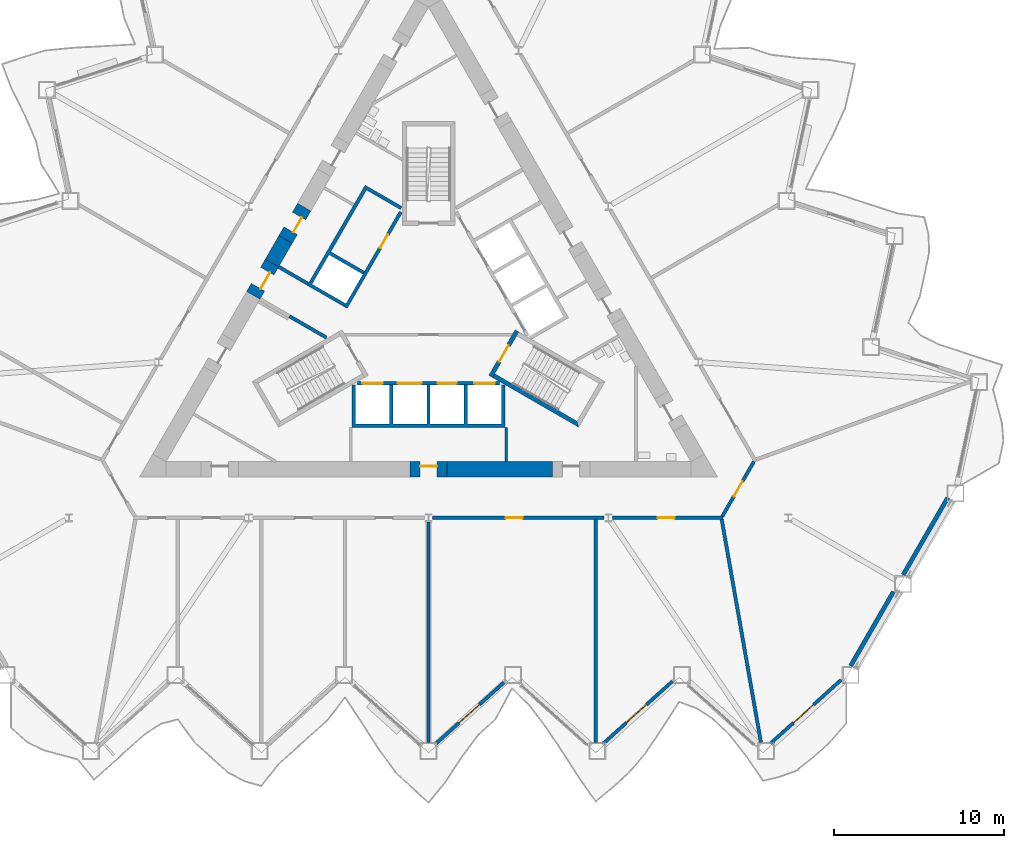
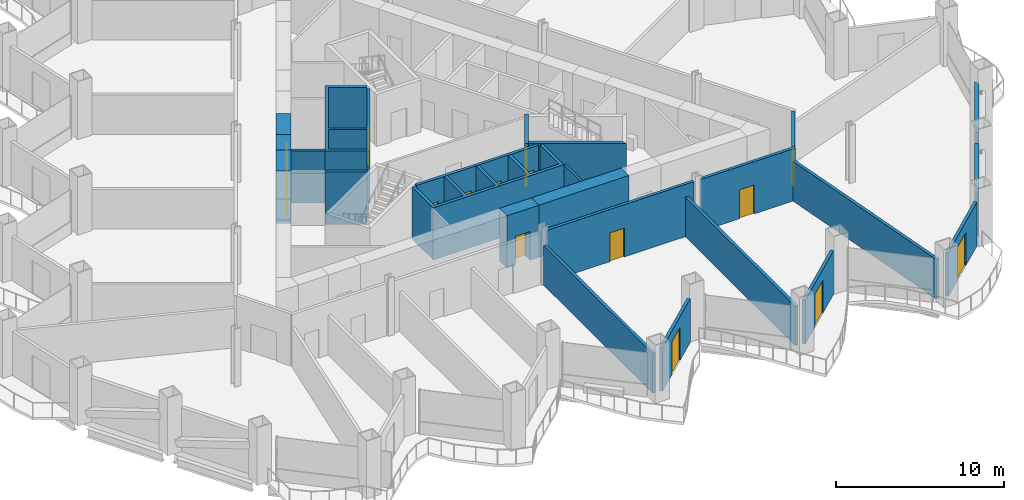
# One storey, part 10 of 21: 25 walls, 15 doors, 15 openings.
"""IFC4 building model written with IfcOpenShell, lengths in metres."""

import ifcopenshell
import ifcopenshell.guid

model = None  # the IFC model being written
_history = None  # IfcOwnerHistory: only IFC2X3 demands one
_inside = {}  # id of a spatial element -> (the spatial element, [elements in it])
_under = {}  # id of a project, library or spatial element -> (it, [spatial elements below it])
_declared = {}  # id of a project -> (the project, [libraries it declares])
_typed = {}  # id of a type object -> (the type object, [elements of that type])
_made_of = {}  # id of a material, layer set ... -> (it, [elements and type objects made of it])


def new_model(schema):
    """Start an empty IFC model of exactly this schema.

    Asked for "IFC4X3", IfcOpenShell would pick the latest addendum, in which some entities
    have other attributes; the version numbers below select the first issue.
    IFC2X3 requires an IfcOwnerHistory on every rooted entity: one is made here for all.
    """
    global model, _history
    if schema == "IFC4X3":
        model = ifcopenshell.file(schema_version=(4, 3, 0, 0))
    else:
        model = ifcopenshell.file(schema=schema)
    _inside.clear()
    _under.clear()
    _declared.clear()
    _typed.clear()
    _made_of.clear()
    _history = None
    if model.schema == "IFC2X3":
        org = make("IfcOrganization", Name="unknown")
        user = make(
            "IfcPersonAndOrganization",
            ThePerson=make("IfcPerson", FamilyName="unknown"),
            TheOrganization=org,
        )
        app = make(
            "IfcApplication",
            ApplicationDeveloper=org,
            Version="unknown",
            ApplicationFullName="unknown",
            ApplicationIdentifier="unknown",
        )
        _history = make(
            "IfcOwnerHistory",
            OwningUser=user,
            OwningApplication=app,
            ChangeAction="ADDED",
            CreationDate=0,
        )
    return model


def make(cls, **values):
    """One entity of the class cls with the attributes given. An attribute that is None is left unset."""
    return model.create_entity(
        cls, **{name: value for name, value in values.items() if value is not None}
    )


def rooted(cls, **values):
    """An entity with a GlobalId (a new one), such as an element, a storey or a relation."""
    return make(cls, GlobalId=ifcopenshell.guid.new(), OwnerHistory=_history, **values)


def si_unit(unit_type, name, prefix=None):
    """IfcSIUnit, for example si_unit("LENGTHUNIT", "METRE", prefix="MILLI")."""
    return make("IfcSIUnit", UnitType=unit_type, Prefix=prefix, Name=name)


def assignment(units):
    """IfcUnitAssignment: the units of a project."""
    return None if units is None else make("IfcUnitAssignment", Units=units)


def point(xyz):
    """IfcCartesianPoint."""
    return None if xyz is None else make("IfcCartesianPoint", Coordinates=xyz)


def direction(xyz):
    """IfcDirection."""
    return None if xyz is None else make("IfcDirection", DirectionRatios=xyz)


def frame(location, z_axis=None, x_axis=None):
    """IfcAxis2Placement3D, a coordinate frame: its origin and axes. An axis left out is left unset."""
    return make(
        "IfcAxis2Placement3D",
        Location=point(location),
        Axis=direction(z_axis),
        RefDirection=direction(x_axis),
    )


def frame_2d(location, x_axis=None):
    """IfcAxis2Placement2D, a coordinate frame in the plane: its origin and x axis."""
    return make(
        "IfcAxis2Placement2D", Location=point(location), RefDirection=direction(x_axis)
    )


def origin():
    """The frame at (0, 0, 0) with its axes left unset."""
    return frame((0.0, 0.0, 0.0))


def place(relative_to, where):
    """IfcLocalPlacement: puts the frame where relative to a parent placement (None: the world)."""
    return make(
        "IfcLocalPlacement", PlacementRelTo=relative_to, RelativePlacement=where
    )


def context(
    kind, dimensions, precision=None, world=None, true_north=None, identifier=None
):
    """IfcGeometricRepresentationContext, for example the 3D "Model" context."""
    return make(
        "IfcGeometricRepresentationContext",
        ContextIdentifier=identifier,
        ContextType=kind,
        CoordinateSpaceDimension=dimensions,
        Precision=precision,
        WorldCoordinateSystem=world,
        TrueNorth=true_north,
    )


def subcontext(parent, identifier, kind, view, scale=None):
    """IfcGeometricRepresentationSubContext, for example "Body" below "Model"."""
    return make(
        "IfcGeometricRepresentationSubContext",
        ContextIdentifier=identifier,
        ContextType=kind,
        ParentContext=parent,
        TargetScale=scale,
        TargetView=view,
    )


def project(units=None, contexts=None):
    """IfcProject with its units and contexts."""
    return rooted(
        "IfcProject",
        Name="project",
        RepresentationContexts=contexts,
        UnitsInContext=assignment(units),
    )


def spatial(cls, under=None, at=None, **own):
    """A site, building, storey or space (cls), placed at a placement, below another one or the project."""
    s = rooted(cls, ObjectPlacement=at, **own)
    if under is not None:
        _under.setdefault(under.id(), (under, []))[1].append(s)
    return s


def polyline(points):
    """IfcPolyline through the points."""
    return make("IfcPolyline", Points=[point(p) for p in points])


def profile(cls, at=None, kind="AREA", **sizes):
    """A parametric profile (cls). Its sizes go by their IFC names, for example OverallWidth=200.0."""
    return make(cls, ProfileType=kind, Position=at, **sizes)


def rectangle(**sizes):
    """IfcRectangleProfileDef."""
    return profile("IfcRectangleProfileDef", **sizes)


def outline(outer, holes=None, kind="AREA"):
    """IfcArbitraryClosedProfileDef: a profile drawn as a closed curve; with holes, ...WithVoids."""
    if holes is None:
        return make("IfcArbitraryClosedProfileDef", ProfileType=kind, OuterCurve=outer)
    return make(
        "IfcArbitraryProfileDefWithVoids",
        ProfileType=kind,
        OuterCurve=outer,
        InnerCurves=holes,
    )


def extrude(swept, where, along, depth):
    """IfcExtrudedAreaSolid: the profile swept, set in the frame where, extruded along a direction by depth."""
    return make(
        "IfcExtrudedAreaSolid",
        SweptArea=swept,
        Position=where,
        ExtrudedDirection=direction(along),
        Depth=depth,
    )


def shape(context_of_items, identifier, shape_type, items):
    """IfcShapeRepresentation: the items that make up one representation, for example the "Body"."""
    return make(
        "IfcShapeRepresentation",
        ContextOfItems=context_of_items,
        RepresentationIdentifier=identifier,
        RepresentationType=shape_type,
        Items=items,
    )


def material(Name=None, Category=None):
    """IfcMaterial."""
    return make("IfcMaterial", Name=Name, Category=Category)


def layer(
    of_material, thickness, ventilated=None, Name=None, Category=None, Priority=None
):
    """IfcMaterialLayer: one layer of a wall or slab, of a material (None: an air gap)."""
    return make(
        "IfcMaterialLayer",
        Material=of_material,
        LayerThickness=thickness,
        IsVentilated=ventilated,
        Name=Name,
        Category=Category,
        Priority=Priority,
    )


def layer_set(layers, Name=None):
    """IfcMaterialLayerSet."""
    return make("IfcMaterialLayerSet", MaterialLayers=layers, LayerSetName=Name)


def made_of(thing, what):
    """Note that an element or type object is made of a material, layer set ...; save() writes the relation."""
    if what is not None:
        _made_of.setdefault(what.id(), (what, []))[1].append(thing)
    return thing


def type_object(cls, material=None, **own):
    """A type object (cls), such as IfcWallType, which elements share."""
    return made_of(rooted(cls, **own), material)


def element(
    cls,
    number,
    at=None,
    inside=None,
    cuts=None,
    type_object=None,
    material=None,
    context=None,
    identifier="Body",
    shape_type=None,
    held_by="IfcProductDefinitionShape",
    body=None,
    shapes=None,
    **own,
):
    """One element of the class cls, such as IfcWall. Its Tag is "e" and its number.

    at: its placement. inside: the storey or other place that contains it. cuts: it is an
    opening in that element (IfcRelVoidsElement). A single representation is given by context,
    identifier, shape_type and body (its items); several are given by shapes. held_by: the class
    of the entity that holds the representations. save() writes the other relations.
    """
    e = rooted(cls, Tag="e%d" % number, ObjectPlacement=at, **own)
    if body is not None:
        shapes = [shape(context, identifier, shape_type, body)]
    if shapes is not None:
        e.Representation = make(held_by, Representations=shapes)
    if inside is not None:
        _inside.setdefault(inside.id(), (inside, []))[1].append(e)
    if cuts is not None:
        rooted(
            "IfcRelVoidsElement", RelatingBuildingElement=cuts, RelatedOpeningElement=e
        )
    if type_object is not None:
        _typed.setdefault(type_object.id(), (type_object, []))[1].append(e)
    return made_of(e, material)


def fill(opening, filler):
    """IfcRelFillsElement: the door or window that sits in an opening."""
    return rooted(
        "IfcRelFillsElement",
        RelatingOpeningElement=opening,
        RelatedBuildingElement=filler,
    )


def aggregate(whole, parts):
    """IfcRelAggregates: a whole, such as a stair, and the parts it consists of."""
    return rooted("IfcRelAggregates", RelatingObject=whole, RelatedObjects=parts)


def save(model, path):
    """Write the relations noted so far, then the file.

    IfcRelAggregates (storeys below a building ...), IfcRelContainedInSpatialStructure (elements
    in a storey), IfcRelDefinesByType, IfcRelAssociatesMaterial and IfcRelDeclares: one each for
    every whole, place, type object, material and project.
    """
    for whole, parts in _under.values():
        aggregate(whole, parts)
    for where, things in _inside.values():
        rooted(
            "IfcRelContainedInSpatialStructure",
            RelatedElements=things,
            RelatingStructure=where,
        )
    for kind, things in _typed.values():
        rooted("IfcRelDefinesByType", RelatedObjects=things, RelatingType=kind)
    for what, things in _made_of.values():
        rooted("IfcRelAssociatesMaterial", RelatedObjects=things, RelatingMaterial=what)
    for by, libraries in _declared.values():
        rooted("IfcRelDeclares", RelatingContext=by, RelatedDefinitions=libraries)
    model.write(path)


model = new_model("IFC4")

# Units and contexts
model_context = context("Model", 3, precision=1e-05, world=origin(), true_north=direction((0.0, 1.0)))
body_context = subcontext(model_context, "Body", "Model", "MODEL_VIEW")
ifc_project = project(units=[si_unit("LENGTHUNIT", "METRE"), si_unit("AREAUNIT", "SQUARE_METRE"), si_unit("VOLUMEUNIT", "CUBIC_METRE"), si_unit("PLANEANGLEUNIT", "RADIAN"), si_unit("MASSUNIT", "GRAM", prefix="KILO")], contexts=[model_context])

# Site, building, storey
site_placement = place(None, origin())
site = spatial("IfcSite", under=ifc_project, at=site_placement, CompositionType="ELEMENT")
building_placement = place(site_placement, origin())
building = spatial("IfcBuilding", under=site, at=building_placement, Name="Cormorant Prow Tower", CompositionType="ELEMENT")
storey_placement = place(building_placement, frame((0.0, 0.0, 67.800048828125)))
storey = spatial("IfcBuildingStorey", under=building, at=storey_placement, Name="L14", CompositionType="ELEMENT", Elevation=67.800048828125)

# Walls
ifc_material_1 = material(Name="Gypsum board partition")
ifc_layer_1 = layer(ifc_material_1, 0.14990234375)
ifc_layer_set_1 = layer_set([ifc_layer_1], Name="Gypsum board partition")
wall_type_1 = type_object("IfcWallType", Name="Core partition 150", PredefinedType="PARTITIONING", material=ifc_layer_set_1)
wall_1_placement = place(storey_placement, frame((4.574951171875, -6.906005859375, 0.0), z_axis=(0.0, 0.0, 1.0), x_axis=(0.0, -1.0, 0.0)))
element("IfcWall", 1, at=wall_1_placement, inside=storey, type_object=wall_type_1, Name="Service room partition", PredefinedType="PARTITIONING", context=body_context, shape_type="SweptSolid", body=[
    extrude(rectangle(XDim=2.009033203125, YDim=0.14990234375, at=frame_2d((1.00439453125, 0.0))), origin(), (0.0, 0.0, 1.0), 3.800048828125),
])
ifc_material_2 = material(Name="Concrete 8000 psi", Category="concrete")
ifc_layer_2 = layer(ifc_material_2, 0.89990234375)
ifc_layer_set_2 = layer_set([ifc_layer_2], Name="Concrete 8000 psi")
wall_type_2 = type_object("IfcWallType", Name="Core shear wall 900", PredefinedType="SHEAR", material=ifc_layer_set_2)
wall_2_placement = place(storey_placement, frame((1.10009765625, -9.364990234375, 0.0), z_axis=(0.0, 0.0, 1.0), x_axis=(1.0, 0.0, 0.0)))
element("IfcWall", 2, at=wall_2_placement, inside=storey, type_object=wall_type_2, Name="Core wall", PredefinedType="SHEAR", context=body_context, shape_type="SweptSolid", body=[
    extrude(rectangle(XDim=6.189208984375, YDim=0.89990234375, at=frame_2d((3.0947265625, 0.0))), origin(), (0.0, 0.0, 1.0), 3.800048828125),
])
wall_3_placement = place(storey_placement, frame((-8.413330078125, 4.157470703125, 0.0), z_axis=(0.0, 0.0, 1.0), x_axis=(-0.499961121316, -0.86604784924, 0.0)))
element("IfcWall", 3, at=wall_3_placement, inside=storey, type_object=wall_type_2, Name="Core wall", PredefinedType="SHEAR", context=body_context, shape_type="SweptSolid", body=[
    extrude(rectangle(XDim=1.593994140625, YDim=0.89990234375, at=frame_2d((0.796875, 0.0))), origin(), (0.0, 0.0, 1.0), 3.800048828125),
])

# Wall, opening, door
wall_4_placement = place(storey_placement, frame((-1.10009765625, -9.364990234375, 0.0), z_axis=(0.0, 0.0, 1.0), x_axis=(1.0, 0.0, 0.0)))
wall_4 = element("IfcWall", 4, at=wall_4_placement, inside=storey, type_object=wall_type_2, Name="Core wall door panel", PredefinedType="SHEAR", context=body_context, shape_type="SweptSolid", body=[
    extrude(rectangle(XDim=2.2001953125, YDim=0.89990234375, at=frame_2d((1.10009765625, 0.0))), origin(), (0.0, 0.0, 1.0), 3.800048828125),
])
opening_1_placement = place(wall_4_placement, frame((0.60009765625, 0.0, 0.0)))
opening_1 = element("IfcOpeningElement", 5, at=opening_1_placement, cuts=wall_4, Name="Opening L14-C15", PredefinedType="OPENING", context=body_context, shape_type="SweptSolid", body=[
    extrude(rectangle(XDim=1.0, YDim=2.10009765625, at=frame_2d((0.5, 1.050048828125))), frame((0.0, 0.4599609375, 0.0), z_axis=(0.0, -1.0, 0.0), x_axis=(1.0, 0.0, 0.0)), (0.0, 0.0, 1.0), 0.919921875),
])
ifc_material_3 = material(Name="Painted steel", Category="steel")
door_type_1 = type_object("IfcDoorType", Name="Service door 1000x2100", OperationType="NOTDEFINED", PredefinedType="DOOR", material=ifc_material_3)
door_1_placement = place(opening_1_placement, origin())
door_1 = element("IfcDoor", 6, at=door_1_placement, inside=storey, type_object=door_type_1, Name="Core door, Electrical room", OperationType="SINGLE_SWING_LEFT", OverallHeight=2.10009765625, OverallWidth=1.0, PredefinedType="DOOR", context=body_context, shape_type="SweptSolid", body=[
    extrude(rectangle(XDim=1.0, YDim=2.10009765625, at=frame_2d((0.5, 1.050048828125))), frame((0.0, 0.205078125, 0.0), z_axis=(0.0, -1.0, 0.0), x_axis=(1.0, 0.0, 0.0)), (0.0, 0.0, 1.0), 0.050048828125),
])
fill(opening_1, door_1)

wall_5_placement = place(storey_placement, frame((-7.3134765625, 6.0625, 0.0), z_axis=(0.0, 0.0, 1.0), x_axis=(-0.500077893725, -0.86598042715, 0.0)))
wall_5 = element("IfcWall", 7, at=wall_5_placement, inside=storey, type_object=wall_type_2, Name="Core wall door panel", PredefinedType="SHEAR", context=body_context, shape_type="SweptSolid", body=[
    extrude(rectangle(XDim=2.199951171875, YDim=0.89990234375, at=frame_2d((1.10009765625, 0.0))), origin(), (0.0, 0.0, 1.0), 3.800048828125),
])
opening_2_placement = place(wall_5_placement, frame((0.60009765625, 0.0, 0.0)))
opening_2 = element("IfcOpeningElement", 8, at=opening_2_placement, cuts=wall_5, Name="Opening L14-C21", PredefinedType="OPENING", context=body_context, shape_type="SweptSolid", body=[
    extrude(rectangle(XDim=1.0, YDim=2.10009765625, at=frame_2d((0.5, 1.050048828125))), frame((0.0, 0.4599609375, 0.0), z_axis=(0.0, -1.0, 0.0), x_axis=(1.0, 0.0, 0.0)), (0.0, 0.0, 1.0), 0.919921875),
])
door_2_placement = place(opening_2_placement, origin())
door_2 = element("IfcDoor", 9, at=door_2_placement, inside=storey, type_object=door_type_1, Name="Core door, Refuse store", OperationType="SINGLE_SWING_LEFT", OverallHeight=2.10009765625, OverallWidth=1.0, PredefinedType="DOOR", context=body_context, shape_type="SweptSolid", body=[
    extrude(rectangle(XDim=1.0, YDim=2.10009765625, at=frame_2d((0.5, 1.050048828125))), frame((0.0, 0.205078125, 0.0), z_axis=(0.0, -1.0, 0.0), x_axis=(1.0, 0.0, 0.0)), (0.0, 0.0, 1.0), 0.050048828125),
])
fill(opening_2, door_2)

wall_6_placement = place(storey_placement, frame((-9.210205078125, 2.777099609375, 0.0), z_axis=(0.0, 0.0, 1.0), x_axis=(-0.500077893725, -0.86598042715, 0.0)))
wall_6 = element("IfcWall", 10, at=wall_6_placement, inside=storey, type_object=wall_type_2, Name="Core wall door panel", PredefinedType="SHEAR", context=body_context, shape_type="SweptSolid", body=[
    extrude(rectangle(XDim=2.199951171875, YDim=0.89990234375, at=frame_2d((1.10009765625, 0.0))), origin(), (0.0, 0.0, 1.0), 3.800048828125),
])
opening_3_placement = place(wall_6_placement, frame((0.550048828125, 0.0, 0.0)))
opening_3 = element("IfcOpeningElement", 11, at=opening_3_placement, cuts=wall_6, Name="Opening L14-C25", PredefinedType="OPENING", context=body_context, shape_type="SweptSolid", body=[
    extrude(rectangle(XDim=1.10009765625, YDim=2.10009765625, at=frame_2d((0.550048828125, 1.050048828125))), frame((0.0, 0.4599609375, 0.0), z_axis=(0.0, -1.0, 0.0), x_axis=(1.0, 0.0, 0.0)), (0.0, 0.0, 1.0), 0.919921875),
])
ifc_material_4 = material(Name="Painted steel", Category="steel")
door_type_2 = type_object("IfcDoorType", Name="Core door 1100x2100", OperationType="NOTDEFINED", PredefinedType="DOOR", material=ifc_material_4)
door_3_placement = place(opening_3_placement, origin())
door_3 = element("IfcDoor", 12, at=door_3_placement, inside=storey, type_object=door_type_2, Name="Core door, lift lobby", OperationType="SINGLE_SWING_RIGHT", OverallHeight=2.10009765625, OverallWidth=1.10009765625, PredefinedType="DOOR", context=body_context, shape_type="SweptSolid", body=[
    extrude(rectangle(XDim=1.10009765625, YDim=2.10009765625, at=frame_2d((0.550048828125, 1.050048828125))), frame((0.0, 0.205078125, 0.0), z_axis=(0.0, -1.0, 0.0), x_axis=(1.0, 0.0, 0.0)), (0.0, 0.0, 1.0), 0.050048828125),
])
fill(opening_3, door_3)

ifc_material_5 = material(Name="Gypsum board corridor wall")
ifc_layer_3 = layer(ifc_material_5, 0.199951171875)
ifc_layer_set_3 = layer_set([ifc_layer_3], Name="Gypsum board corridor wall")
wall_type_3 = type_object("IfcWallType", Name="Corridor wall 200", PredefinedType="PARTITIONING", material=ifc_layer_set_3)
wall_7_placement = place(storey_placement, frame((0.2421875, -12.215087890625, 0.0), z_axis=(0.0, 0.0, 1.0), x_axis=(1.0, 0.0, 0.0)))
wall_7 = element("IfcWall", 13, at=wall_7_placement, inside=storey, type_object=wall_type_3, Name="Corridor wall", PredefinedType="PARTITIONING", context=body_context, shape_type="SweptSolid", body=[
    extrude(rectangle(XDim=10.093994140625, YDim=0.199951171875, at=frame_2d((5.046875, 0.0))), origin(), (0.0, 0.0, 1.0), 3.800048828125),
])
opening_4_placement = place(wall_7_placement, frame((4.294189453125, 0.0, 0.0)))
opening_4 = element("IfcOpeningElement", 14, at=opening_4_placement, cuts=wall_7, Name="Opening L14-F05", PredefinedType="OPENING", context=body_context, shape_type="SweptSolid", body=[
    extrude(rectangle(XDim=1.0, YDim=2.10009765625, at=frame_2d((0.5, 1.050048828125))), frame((0.0, 0.10986328125, 0.0), z_axis=(0.0, -1.0, 0.0), x_axis=(1.0, 0.0, 0.0)), (0.0, 0.0, 1.0), 0.219970703125),
])
ifc_material_6 = material(Name="Timber door leaf", Category="wood")
door_type_3 = type_object("IfcDoorType", Name="Office door 1000x2100", OperationType="NOTDEFINED", PredefinedType="DOOR", material=ifc_material_6)
door_4_placement = place(opening_4_placement, origin())
door_4 = element("IfcDoor", 15, at=door_4_placement, inside=storey, type_object=door_type_3, Name="Open-plan office door", OperationType="SINGLE_SWING_RIGHT", OverallHeight=2.10009765625, OverallWidth=1.0, PredefinedType="DOOR", context=body_context, shape_type="SweptSolid", body=[
    extrude(rectangle(XDim=1.0, YDim=2.10009765625, at=frame_2d((0.5, 1.050048828125))), frame((0.0, 0.02490234375, 0.0), z_axis=(0.0, -1.0, 0.0), x_axis=(1.0, 0.0, 0.0)), (0.0, 0.0, 1.0), 0.050048828125),
])
fill(opening_4, door_4)

wall_8_placement = place(storey_placement, frame((10.82080078125, -12.215087890625, 0.0), z_axis=(0.0, 0.0, 1.0), x_axis=(1.0, 0.0, 0.0)))
wall_8 = element("IfcWall", 16, at=wall_8_placement, inside=storey, type_object=wall_type_3, Name="Corridor wall", PredefinedType="PARTITIONING", context=body_context, shape_type="SweptSolid", body=[
    extrude(rectangle(XDim=6.510009765625, YDim=0.199951171875, at=frame_2d((3.2548828125, 0.0))), origin(), (0.0, 0.0, 1.0), 3.800048828125),
])
opening_5_placement = place(wall_8_placement, frame((2.65478515625, 0.0, 0.0)))
opening_5 = element("IfcOpeningElement", 17, at=opening_5_placement, cuts=wall_8, Name="Opening L14-F06", PredefinedType="OPENING", context=body_context, shape_type="SweptSolid", body=[
    extrude(rectangle(XDim=1.0, YDim=2.10009765625, at=frame_2d((0.5, 1.050048828125))), frame((0.0, 0.10986328125, 0.0), z_axis=(0.0, -1.0, 0.0), x_axis=(1.0, 0.0, 0.0)), (0.0, 0.0, 1.0), 0.219970703125),
])
door_5_placement = place(opening_5_placement, origin())
door_5 = element("IfcDoor", 18, at=door_5_placement, inside=storey, type_object=door_type_3, Name="Tenant suite door", OperationType="SINGLE_SWING_RIGHT", OverallHeight=2.10009765625, OverallWidth=1.0, PredefinedType="DOOR", context=body_context, shape_type="SweptSolid", body=[
    extrude(rectangle(XDim=1.0, YDim=2.10009765625, at=frame_2d((0.5, 1.050048828125))), frame((0.0, 0.02490234375, 0.0), z_axis=(0.0, -1.0, 0.0), x_axis=(1.0, 0.0, 0.0)), (0.0, 0.0, 1.0), 0.050048828125),
])
fill(opening_5, door_5)

wall_9_placement = place(storey_placement, frame((17.281005859375, -12.12841796875, 0.0), z_axis=(0.0, 0.0, 1.0), x_axis=(0.499958791762, 0.866049194065, 0.0)))
wall_9 = element("IfcWall", 19, at=wall_9_placement, inside=storey, type_object=wall_type_3, Name="Corridor wall", PredefinedType="PARTITIONING", context=body_context, shape_type="SweptSolid", body=[
    extrude(rectangle(XDim=3.725830078125, YDim=0.199951171875, at=frame_2d((1.86279296875, 0.0))), origin(), (0.0, 0.0, 1.0), 3.800048828125),
])
opening_6_placement = place(wall_9_placement, frame((1.363037109375, 0.0, 0.0)))
opening_6 = element("IfcOpeningElement", 20, at=opening_6_placement, cuts=wall_9, Name="Opening L14-F07", PredefinedType="OPENING", context=body_context, shape_type="SweptSolid", body=[
    extrude(rectangle(XDim=1.0, YDim=2.10009765625, at=frame_2d((0.5, 1.050048828125))), frame((0.0, 0.10986328125, 0.0), z_axis=(0.0, -1.0, 0.0), x_axis=(1.0, 0.0, 0.0)), (0.0, 0.0, 1.0), 0.219970703125),
])
door_6_placement = place(opening_6_placement, origin())
door_6 = element("IfcDoor", 21, at=door_6_placement, inside=storey, type_object=door_type_3, Name="Tenant suite door", OperationType="SINGLE_SWING_RIGHT", OverallHeight=2.10009765625, OverallWidth=1.0, PredefinedType="DOOR", context=body_context, shape_type="SweptSolid", body=[
    extrude(rectangle(XDim=1.0, YDim=2.10009765625, at=frame_2d((0.5, 1.050048828125))), frame((0.0, 0.02490234375, 0.0), z_axis=(0.0, -1.0, 0.0), x_axis=(1.0, 0.0, 0.0)), (0.0, 0.0, 1.0), 0.050048828125),
])
fill(opening_6, door_6)

# Walls
ifc_material_7 = material(Name="Gypsum board demising wall")
ifc_layer_4 = layer(ifc_material_7, 0.199951171875)
ifc_layer_set_4 = layer_set([ifc_layer_4], Name="Gypsum board demising wall")
wall_type_4 = type_object("IfcWallType", Name="Demising wall 200", PredefinedType="PARTITIONING", material=ifc_layer_set_4)
wall_10_placement = place(storey_placement, frame((17.248291015625, -12.3134765625, 0.0), z_axis=(0.0, 0.0, 1.0), x_axis=(0.173132292437, -0.984898578187, 0.0)))
element("IfcWall", 22, at=wall_10_placement, inside=storey, type_object=wall_type_4, Name="Demising wall", PredefinedType="PARTITIONING", context=body_context, shape_type="SweptSolid", body=[
    extrude(rectangle(XDim=13.308837890625, YDim=0.199951171875, at=frame_2d((6.654296875, 0.0))), origin(), (0.0, 0.0, 1.0), 2.88525390625),
])
wall_11_placement = place(storey_placement, frame((9.833984375, -25.42138671875, 0.0), z_axis=(0.0, 0.0, 1.0), x_axis=(0.0, 1.0, 0.0)))
element("IfcWall", 23, at=wall_11_placement, inside=storey, type_object=wall_type_4, Name="Demising wall", PredefinedType="PARTITIONING", context=body_context, shape_type="SweptSolid", body=[
    extrude(rectangle(XDim=13.1064453125, YDim=0.199951171875, at=frame_2d((6.55322265625, 0.0))), origin(), (0.0, 0.0, 1.0), 2.88525390625),
])
wall_12_placement = place(storey_placement, frame((0.0, -25.42138671875, 0.0), z_axis=(0.0, 0.0, 1.0), x_axis=(0.0, 1.0, 0.0)))
element("IfcWall", 24, at=wall_12_placement, inside=storey, type_object=wall_type_4, Name="Demising wall", PredefinedType="PARTITIONING", context=body_context, shape_type="SweptSolid", body=[
    extrude(rectangle(XDim=12.964111328125, YDim=0.199951171875, at=frame_2d((6.48193359375, 0.0))), origin(), (0.0, 0.0, 1.0), 2.88525390625),
])

# Wall, openings, doors
ifc_material_8 = material(Name="Concrete 5000 psi", Category="concrete")
ifc_layer_5 = layer(ifc_material_8, 0.199951171875)
ifc_layer_set_5 = layer_set([ifc_layer_5], Name="Concrete 5000 psi")
wall_type_5 = type_object("IfcWallType", Name="Lift lobby wall 200", PredefinedType="SOLIDWALL", material=ifc_layer_set_5)
wall_13_placement = place(storey_placement, frame((-4.1865234375, -4.300048828125, 0.0), z_axis=(0.0, 0.0, 1.0), x_axis=(1.0, 0.0, 0.0)))
wall_13 = element("IfcWall", 25, at=wall_13_placement, inside=storey, type_object=wall_type_5, Name="Lift lobby wall, S block", PredefinedType="SOLIDWALL", context=body_context, shape_type="SweptSolid", body=[
    extrude(rectangle(XDim=8.373046875, YDim=0.199951171875, at=frame_2d((4.1865234375, 0.0))), origin(), (0.0, 0.0, 1.0), 3.800048828125),
])
opening_7_placement = place(wall_13_placement, frame((0.28662109375, 0.0, 0.0)))
opening_7 = element("IfcOpeningElement", 26, at=opening_7_placement, cuts=wall_13, Name="Opening L14-C01", PredefinedType="OPENING", context=body_context, shape_type="SweptSolid", body=[
    extrude(rectangle(XDim=1.199951171875, YDim=2.10009765625, at=frame_2d((0.60009765625, 1.050048828125))), frame((0.0, 0.10986328125, 0.0), z_axis=(0.0, -1.0, 0.0), x_axis=(1.0, 0.0, 0.0)), (0.0, 0.0, 1.0), 0.219970703125),
])
opening_8_placement = place(wall_13_placement, frame((2.38671875, 0.0, 0.0)))
opening_8 = element("IfcOpeningElement", 27, at=opening_8_placement, cuts=wall_13, Name="Opening L14-C02", PredefinedType="OPENING", context=body_context, shape_type="SweptSolid", body=[
    extrude(rectangle(XDim=1.39990234375, YDim=2.10009765625, at=frame_2d((0.699951171875, 1.050048828125))), frame((0.0, 0.10986328125, 0.0), z_axis=(0.0, -1.0, 0.0), x_axis=(1.0, 0.0, 0.0)), (0.0, 0.0, 1.0), 0.219970703125),
])
opening_9_placement = place(wall_13_placement, frame((4.736572265625, 0.0, 0.0)))
opening_9 = element("IfcOpeningElement", 28, at=opening_9_placement, cuts=wall_13, Name="Opening L14-C03", PredefinedType="OPENING", context=body_context, shape_type="SweptSolid", body=[
    extrude(rectangle(XDim=1.10009765625, YDim=2.10009765625, at=frame_2d((0.550048828125, 1.050048828125))), frame((0.0, 0.10986328125, 0.0), z_axis=(0.0, -1.0, 0.0), x_axis=(1.0, 0.0, 0.0)), (0.0, 0.0, 1.0), 0.219970703125),
])
opening_10_placement = place(wall_13_placement, frame((6.88671875, 0.0, 0.0)))
opening_10 = element("IfcOpeningElement", 29, at=opening_10_placement, cuts=wall_13, Name="Opening L14-C04", PredefinedType="OPENING", context=body_context, shape_type="SweptSolid", body=[
    extrude(rectangle(XDim=1.199951171875, YDim=2.10009765625, at=frame_2d((0.60009765625, 1.050048828125))), frame((0.0, 0.10986328125, 0.0), z_axis=(0.0, -1.0, 0.0), x_axis=(1.0, 0.0, 0.0)), (0.0, 0.0, 1.0), 0.219970703125),
])
ifc_material_9 = material(Name="Painted steel", Category="steel")
door_type_4 = type_object("IfcDoorType", Name="Firefighting lift landing door 1200x2100", OperationType="SLIDING_TO_LEFT", PredefinedType="DOOR", material=ifc_material_9)
door_7_placement = place(opening_7_placement, origin())
door_7 = element("IfcDoor", 30, at=door_7_placement, inside=storey, type_object=door_type_4, Name="Landing door FL1", OperationType="SLIDING_TO_LEFT", OverallHeight=2.10009765625, OverallWidth=1.199951171875, PredefinedType="DOOR", context=body_context, shape_type="SweptSolid", body=[
    extrude(rectangle(XDim=1.199951171875, YDim=2.10009765625, at=frame_2d((0.60009765625, 1.050048828125))), frame((0.0, 0.02490234375, 0.0), z_axis=(0.0, -1.0, 0.0), x_axis=(1.0, 0.0, 0.0)), (0.0, 0.0, 1.0), 0.050048828125),
])
fill(opening_7, door_7)
door_8_placement = place(opening_10_placement, origin())
door_8 = element("IfcDoor", 31, at=door_8_placement, inside=storey, type_object=door_type_4, Name="Landing door FL2", OperationType="SLIDING_TO_LEFT", OverallHeight=2.10009765625, OverallWidth=1.199951171875, PredefinedType="DOOR", context=body_context, shape_type="SweptSolid", body=[
    extrude(rectangle(XDim=1.199951171875, YDim=2.10009765625, at=frame_2d((0.60009765625, 1.050048828125))), frame((0.0, 0.02490234375, 0.0), z_axis=(0.0, -1.0, 0.0), x_axis=(1.0, 0.0, 0.0)), (0.0, 0.0, 1.0), 0.050048828125),
])
fill(opening_10, door_8)
ifc_material_10 = material(Name="Painted steel", Category="steel")
door_type_5 = type_object("IfcDoorType", Name="Lift landing door 1100x2100", OperationType="SLIDING_TO_LEFT", PredefinedType="DOOR", material=ifc_material_10)
door_9_placement = place(opening_9_placement, origin())
door_9 = element("IfcDoor", 32, at=door_9_placement, inside=storey, type_object=door_type_5, Name="Landing door LR1", OperationType="SLIDING_TO_LEFT", OverallHeight=2.10009765625, OverallWidth=1.10009765625, PredefinedType="DOOR", context=body_context, shape_type="SweptSolid", body=[
    extrude(rectangle(XDim=1.10009765625, YDim=2.10009765625, at=frame_2d((0.550048828125, 1.050048828125))), frame((0.0, 0.02490234375, 0.0), z_axis=(0.0, -1.0, 0.0), x_axis=(1.0, 0.0, 0.0)), (0.0, 0.0, 1.0), 0.050048828125),
])
fill(opening_9, door_9)
ifc_material_11 = material(Name="Painted steel", Category="steel")
door_type_6 = type_object("IfcDoorType", Name="Service lift landing door 1400x2100", OperationType="SLIDING_TO_LEFT", PredefinedType="DOOR", material=ifc_material_11)
door_10_placement = place(opening_8_placement, origin())
door_10 = element("IfcDoor", 33, at=door_10_placement, inside=storey, type_object=door_type_6, Name="Landing door SL1", OperationType="SLIDING_TO_LEFT", OverallHeight=2.10009765625, OverallWidth=1.39990234375, PredefinedType="DOOR", context=body_context, shape_type="SweptSolid", body=[
    extrude(rectangle(XDim=1.39990234375, YDim=2.10009765625, at=frame_2d((0.699951171875, 1.050048828125))), frame((0.0, 0.02490234375, 0.0), z_axis=(0.0, -1.0, 0.0), x_axis=(1.0, 0.0, 0.0)), (0.0, 0.0, 1.0), 0.050048828125),
])
fill(opening_8, door_10)

# Wall, opening, door
wall_14_placement = place(storey_placement, frame((-1.630615234375, 5.775634765625, 0.0), z_axis=(0.0, 0.0, 1.0), x_axis=(-0.499992876559, -0.866029516466, 0.0)))
wall_14 = element("IfcWall", 34, at=wall_14_placement, inside=storey, type_object=wall_type_5, Name="Lift lobby wall, WNW block", PredefinedType="SOLIDWALL", context=body_context, shape_type="SweptSolid", body=[
    extrude(rectangle(XDim=6.486328125, YDim=0.199951171875, at=frame_2d((3.2431640625, 0.0))), origin(), (0.0, 0.0, 1.0), 3.800048828125),
])
opening_11_placement = place(wall_14_placement, frame((1.53662109375, 0.0, 0.0)))
opening_11 = element("IfcOpeningElement", 35, at=opening_11_placement, cuts=wall_14, Name="Opening L14-C09", PredefinedType="OPENING", context=body_context, shape_type="SweptSolid", body=[
    extrude(rectangle(XDim=0.89990234375, YDim=2.10009765625, at=frame_2d((0.449951171875, 1.050048828125))), frame((0.0, 0.10986328125, 0.0), z_axis=(0.0, -1.0, 0.0), x_axis=(1.0, 0.0, 0.0)), (0.0, 0.0, 1.0), 0.219970703125),
])
ifc_material_12 = material(Name="Painted steel", Category="steel")
door_type_7 = type_object("IfcDoorType", Name="Service door 900x2100", OperationType="NOTDEFINED", PredefinedType="DOOR", material=ifc_material_12)
door_11_placement = place(opening_11_placement, origin())
door_11 = element("IfcDoor", 36, at=door_11_placement, inside=storey, type_object=door_type_7, Name="Service door, Linen store", OperationType="SINGLE_SWING_LEFT", OverallHeight=2.10009765625, OverallWidth=0.89990234375, PredefinedType="DOOR", context=body_context, shape_type="SweptSolid", body=[
    extrude(rectangle(XDim=0.89990234375, YDim=2.10009765625, at=frame_2d((0.449951171875, 1.050048828125))), frame((0.0, 0.02490234375, 0.0), z_axis=(0.0, -1.0, 0.0), x_axis=(1.0, 0.0, 0.0)), (0.0, 0.0, 1.0), 0.050048828125),
])
fill(opening_11, door_11)

# Walls
ifc_material_13 = material(Name="Concrete 8000 psi", Category="concrete")
ifc_layer_6 = layer(ifc_material_13, 0.199951171875)
ifc_layer_set_6 = layer_set([ifc_layer_6], Name="Concrete 8000 psi")
wall_type_6 = type_object("IfcWallType", Name="Lift shaft wall 200", PredefinedType="SHEAR", material=ifc_layer_set_6)
wall_15_placement = place(storey_placement, origin())
element("IfcWall", 37, at=wall_15_placement, inside=storey, type_object=wall_type_6, Name="Lift shaft walls, S block", PredefinedType="SHEAR", context=body_context, shape_type="SweptSolid", body=[
    extrude(outline(polyline([(4.5, -4.39990234375), (4.5, -6.906005859375), (-4.5, -6.906005859375), (-4.5, -4.39990234375), (-4.300048828125, -4.39990234375), (-4.300048828125, -6.699951171875), (-2.300048828125, -6.699951171875), (-2.300048828125, -4.39990234375), (-2.10009765625, -4.39990234375), (-2.10009765625, -6.699951171875), (-0.10009765625, -6.699951171875), (-0.10009765625, -4.39990234375), (0.10009765625, -4.39990234375), (0.10009765625, -6.699951171875), (2.10009765625, -6.699951171875), (2.10009765625, -4.39990234375), (2.300048828125, -4.39990234375), (2.300048828125, -6.699951171875), (4.300048828125, -6.699951171875), (4.300048828125, -4.39990234375), (4.5, -4.39990234375)])), origin(), (0.0, 0.0, 1.0), 3.800048828125),
])
wall_16_placement = place(storey_placement, origin())
element("IfcWall", 38, at=wall_16_placement, inside=storey, type_object=wall_type_6, Name="Lift shaft walls, WNW block", PredefinedType="SHEAR", context=body_context, shape_type="SweptSolid", body=[
    extrude(outline(polyline([(-6.060546875, -1.697021484375), (-8.230712890625, -0.444091796875), (-8.130859375, -0.27099609375), (-5.96044921875, -1.52392578125), (-6.060546875, -1.697021484375)])), origin(), (0.0, 0.0, 1.0), 3.800048828125),
])
wall_17_placement = place(storey_placement, origin())
element("IfcWall", 39, at=wall_17_placement, inside=storey, type_object=wall_type_6, Name="Lift shaft walls, WNW block", PredefinedType="SHEAR", context=body_context, shape_type="SweptSolid", body=[
    extrude(outline(polyline([(-4.96044921875, 0.2080078125), (-7.130859375, 1.461181640625), (-3.730712890625, 7.35009765625), (-1.560546875, 6.09716796875), (-1.660400390625, 5.923828125), (-3.65234375, 7.073974609375), (-5.75244140625, 3.4365234375), (-3.760498046875, 2.28662109375), (-3.860595703125, 2.11328125), (-5.852294921875, 3.263427734375), (-6.852294921875, 1.53125), (-4.860595703125, 0.38134765625), (-4.96044921875, 0.2080078125)])), origin(), (0.0, 0.0, 1.0), 3.800048828125),
])
wall_18_placement = place(storey_placement, frame((-7.080810546875, 1.547607421875, 0.0), z_axis=(0.0, 0.0, 1.0), x_axis=(-0.865983199114, 0.50007309351, 0.0)))
element("IfcWall", 40, at=wall_18_placement, inside=storey, type_object=wall_type_6, Name="Lobby passage wall", PredefinedType="SHEAR", context=body_context, shape_type="SweptSolid", body=[
    extrude(rectangle(XDim=2.009033203125, YDim=0.199951171875, at=frame_2d((1.00439453125, 0.0))), origin(), (0.0, 0.0, 1.0), 3.800048828125),
])
ifc_material_14 = material(Name="Concrete 8000 psi", Category="concrete")
ifc_layer_7 = layer(ifc_material_14, 0.25)
ifc_layer_set_7 = layer_set([ifc_layer_7], Name="Concrete 8000 psi")
wall_type_7 = type_object("IfcWallType", Name="Stair wall 250", PredefinedType="SHEAR", material=ifc_layer_set_7)
wall_19_placement = place(storey_placement, origin())
element("IfcWall", 41, at=wall_19_placement, inside=storey, type_object=wall_type_7, Name="Stair ST2 enclosure wall (flank)", PredefinedType="SHEAR", context=body_context, shape_type="SweptSolid", body=[
    extrude(outline(polyline([(3.76318359375, -3.95556640625), (8.82958984375, -6.880615234375), (8.738037109375, -6.5390625), (3.88818359375, -3.739013671875), (3.76318359375, -3.95556640625)])), origin(), (0.0, 0.0, 1.0), 3.800048828125),
])

# Wall, opening, door
wall_20_placement = place(storey_placement, frame((3.655029296875, -3.89306640625, 0.0), z_axis=(0.0, 0.0, 1.0), x_axis=(0.499982516597, 0.866035497597, 0.0)))
wall_20 = element("IfcWall", 42, at=wall_20_placement, inside=storey, type_object=wall_type_7, Name="Stair ST2 door wall", PredefinedType="SHEAR", context=body_context, shape_type="SweptSolid", body=[
    extrude(rectangle(XDim=3.087890625, YDim=0.25, at=frame_2d((1.5439453125, 0.0))), origin(), (0.0, 0.0, 1.0), 3.800048828125),
])
opening_12_placement = place(wall_20_placement, frame((0.993896484375, 0.0, 0.0)))
opening_12 = element("IfcOpeningElement", 43, at=opening_12_placement, cuts=wall_20, Name="Opening L14-C12", PredefinedType="OPENING", context=body_context, shape_type="SweptSolid", body=[
    extrude(rectangle(XDim=1.10009765625, YDim=2.10009765625, at=frame_2d((0.550048828125, 1.050048828125))), frame((0.0, 0.135009765625, 0.0), z_axis=(0.0, -1.0, 0.0), x_axis=(1.0, 0.0, 0.0)), (0.0, 0.0, 1.0), 0.27001953125),
])
ifc_material_15 = material(Name="Painted steel", Category="steel")
door_type_8 = type_object("IfcDoorType", Name="Stair door 1100x2100", OperationType="NOTDEFINED", PredefinedType="DOOR", material=ifc_material_15)
door_12_placement = place(opening_12_placement, origin())
door_12 = element("IfcDoor", 44, at=door_12_placement, inside=storey, type_object=door_type_8, Name="Stair ST2 door", OperationType="SINGLE_SWING_RIGHT", OverallHeight=2.10009765625, OverallWidth=1.10009765625, PredefinedType="DOOR", context=body_context, shape_type="SweptSolid", body=[
    extrude(rectangle(XDim=1.10009765625, YDim=2.10009765625, at=frame_2d((0.550048828125, 1.050048828125))), frame((0.0, 0.02490234375, 0.0), z_axis=(0.0, -1.0, 0.0), x_axis=(1.0, 0.0, 0.0)), (0.0, 0.0, 1.0), 0.050048828125),
])
fill(opening_12, door_12)

# Walls
ifc_material_16 = material(Name="Terracotta", Category="masonry")
ifc_layer_8 = layer(ifc_material_16, 0.25)
ifc_layer_set_8 = layer_set([ifc_layer_8], Name="Terracotta")
wall_type_8 = type_object("IfcWallType", Name="Terracotta bay wall 250", PredefinedType="SOLIDWALL", material=ifc_layer_set_8)
wall_21_placement = place(storey_placement, frame((24.828369140625, -20.93017578125, 0.0), z_axis=(0.0, 0.0, 1.0), x_axis=(0.500021659459, 0.866012898329, 0.0)))
element("IfcWall", 45, at=wall_21_placement, inside=storey, type_object=wall_type_8, Name="Terracotta bay wall ESE00", PredefinedType="SOLIDWALL", context=body_context, shape_type="SweptSolid", body=[
    extrude(rectangle(XDim=5.038330078125, YDim=0.25, at=frame_2d((2.51904296875, 0.0))), origin(), (0.0, 0.0, 1.0), 3.18896484375),
])
wall_22_placement = place(storey_placement, frame((27.9248046875, -15.56689453125, 0.0), z_axis=(0.0, 0.0, 1.0), x_axis=(0.500009302692, 0.866020032806, 0.0)))
element("IfcWall", 46, at=wall_22_placement, inside=storey, type_object=wall_type_8, Name="Terracotta bay wall ESE01", PredefinedType="SOLIDWALL", context=body_context, shape_type="SweptSolid", body=[
    extrude(rectangle(XDim=5.23095703125, YDim=0.25, at=frame_2d((2.615478515625, 0.0))), origin(), (0.0, 0.0, 1.0), 3.18896484375),
])

# Wall, opening, door
ifc_material_17 = material(Name="Terracotta", Category="masonry")
ifc_layer_9 = layer(ifc_material_17, 0.199951171875)
ifc_layer_set_9 = layer_set([ifc_layer_9], Name="Terracotta")
wall_type_9 = type_object("IfcWallType", Name="Terracotta jamb wall 200", PredefinedType="SOLIDWALL", material=ifc_layer_set_9)
wall_23_placement = place(storey_placement, frame((0.45556640625, -25.484130859375, 0.0), z_axis=(0.0, 0.0, 1.0), x_axis=(0.743130923857, 0.66914604535, 0.0)))
wall_23 = element("IfcWall", 47, at=wall_23_placement, inside=storey, type_object=wall_type_9, Name="Terracotta jamb wall S05", PredefinedType="SOLIDWALL", context=body_context, shape_type="SweptSolid", body=[
    extrude(rectangle(XDim=5.355712890625, YDim=0.199951171875, at=frame_2d((2.677734375, 0.0))), origin(), (0.0, 0.0, 1.0), 3.18896484375),
])
opening_13_placement = place(wall_23_placement, frame((1.80517578125, 0.0, 0.0)))
opening_13 = element("IfcOpeningElement", 48, at=opening_13_placement, cuts=wall_23, Name="Opening ED14.03", PredefinedType="OPENING", context=body_context, shape_type="SweptSolid", body=[
    extrude(rectangle(XDim=1.60009765625, YDim=2.39990234375, at=frame_2d((0.800048828125, 1.199951171875))), frame((0.0, 0.10986328125, 0.0), z_axis=(0.0, -1.0, 0.0), x_axis=(1.0, 0.0, 0.0)), (0.0, 0.0, 1.0), 0.219970703125),
])
ifc_material_18 = material(Name="Aluminium 6063-T6", Category="aluminium")
door_type_9 = type_object("IfcDoorType", Name="Balcony door 1600x2400", OperationType="DOUBLE_DOOR_SINGLE_SWING", PredefinedType="DOOR", material=ifc_material_18)
door_13_placement = place(opening_13_placement, origin())
door_13 = element("IfcDoor", 49, at=door_13_placement, inside=storey, type_object=door_type_9, Name="Balcony door S05 ED14.03", OperationType="DOUBLE_DOOR_SINGLE_SWING", OverallHeight=2.39990234375, OverallWidth=1.60009765625, PredefinedType="DOOR", context=body_context, shape_type="SweptSolid", body=[
    extrude(rectangle(XDim=1.60009765625, YDim=2.39990234375, at=frame_2d((0.800048828125, 1.199951171875))), frame((0.0, 0.02490234375, 0.0), z_axis=(0.0, -1.0, 0.0), x_axis=(1.0, 0.0, 0.0)), (0.0, 0.0, 1.0), 0.050048828125),
])
fill(opening_13, door_13)

wall_24_placement = place(storey_placement, frame((10.28955078125, -25.484130859375, 0.0), z_axis=(0.0, 0.0, 1.0), x_axis=(0.743138399779, 0.669137742751, 0.0)))
wall_24 = element("IfcWall", 50, at=wall_24_placement, inside=storey, type_object=wall_type_9, Name="Terracotta jamb wall S07", PredefinedType="SOLIDWALL", context=body_context, shape_type="SweptSolid", body=[
    extrude(rectangle(XDim=5.456787109375, YDim=0.199951171875, at=frame_2d((2.728515625, 0.0))), origin(), (0.0, 0.0, 1.0), 3.18896484375),
])
opening_14_placement = place(wall_24_placement, frame((1.80517578125, 0.0, 0.0)))
opening_14 = element("IfcOpeningElement", 51, at=opening_14_placement, cuts=wall_24, Name="Opening ED14.04", PredefinedType="OPENING", context=body_context, shape_type="SweptSolid", body=[
    extrude(rectangle(XDim=1.60009765625, YDim=2.39990234375, at=frame_2d((0.800048828125, 1.199951171875))), frame((0.0, 0.10986328125, 0.0), z_axis=(0.0, -1.0, 0.0), x_axis=(1.0, 0.0, 0.0)), (0.0, 0.0, 1.0), 0.219970703125),
])
door_14_placement = place(opening_14_placement, origin())
door_14 = element("IfcDoor", 52, at=door_14_placement, inside=storey, type_object=door_type_9, Name="Balcony door S07 ED14.04", OperationType="DOUBLE_DOOR_SINGLE_SWING", OverallHeight=2.39990234375, OverallWidth=1.60009765625, PredefinedType="DOOR", context=body_context, shape_type="SweptSolid", body=[
    extrude(rectangle(XDim=1.60009765625, YDim=2.39990234375, at=frame_2d((0.800048828125, 1.199951171875))), frame((0.0, 0.02490234375, 0.0), z_axis=(0.0, -1.0, 0.0), x_axis=(1.0, 0.0, 0.0)), (0.0, 0.0, 1.0), 0.050048828125),
])
fill(opening_14, door_14)

wall_25_placement = place(storey_placement, frame((20.12353515625, -25.484130859375, 0.0), z_axis=(0.0, 0.0, 1.0), x_axis=(0.74315945765, 0.669114355327, 0.0)))
wall_25 = element("IfcWall", 53, at=wall_25_placement, inside=storey, type_object=wall_type_9, Name="Terracotta jamb wall S09", PredefinedType="SOLIDWALL", context=body_context, shape_type="SweptSolid", body=[
    extrude(rectangle(XDim=5.588623046875, YDim=0.199951171875, at=frame_2d((2.79443359375, 0.0))), origin(), (0.0, 0.0, 1.0), 3.18896484375),
])
opening_15_placement = place(wall_25_placement, frame((1.80517578125, 0.0, 0.0)))
opening_15 = element("IfcOpeningElement", 54, at=opening_15_placement, cuts=wall_25, Name="Opening ED14.05", PredefinedType="OPENING", context=body_context, shape_type="SweptSolid", body=[
    extrude(rectangle(XDim=1.60009765625, YDim=2.39990234375, at=frame_2d((0.800048828125, 1.199951171875))), frame((0.0, 0.10986328125, 0.0), z_axis=(0.0, -1.0, 0.0), x_axis=(1.0, 0.0, 0.0)), (0.0, 0.0, 1.0), 0.219970703125),
])
door_15_placement = place(opening_15_placement, origin())
door_15 = element("IfcDoor", 55, at=door_15_placement, inside=storey, type_object=door_type_9, Name="Balcony door S09 ED14.05", OperationType="DOUBLE_DOOR_SINGLE_SWING", OverallHeight=2.39990234375, OverallWidth=1.60009765625, PredefinedType="DOOR", context=body_context, shape_type="SweptSolid", body=[
    extrude(rectangle(XDim=1.60009765625, YDim=2.39990234375, at=frame_2d((0.800048828125, 1.199951171875))), frame((0.0, 0.02490234375, 0.0), z_axis=(0.0, -1.0, 0.0), x_axis=(1.0, 0.0, 0.0)), (0.0, 0.0, 1.0), 0.050048828125),
])
fill(opening_15, door_15)

save(model, "model.ifc")
